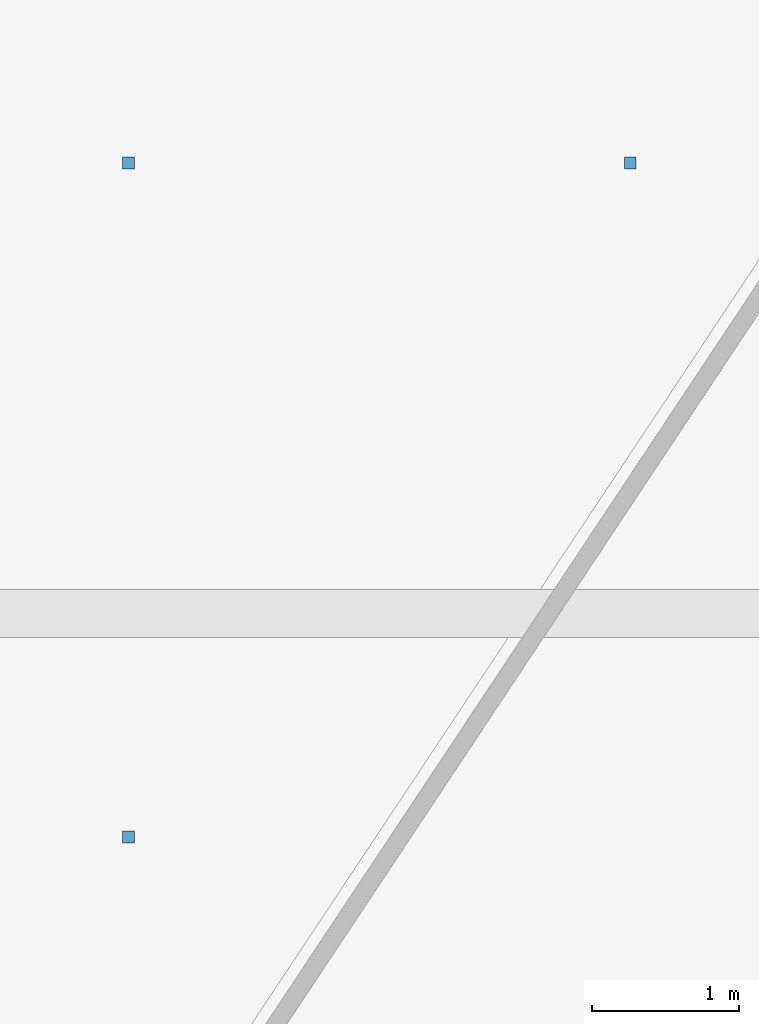
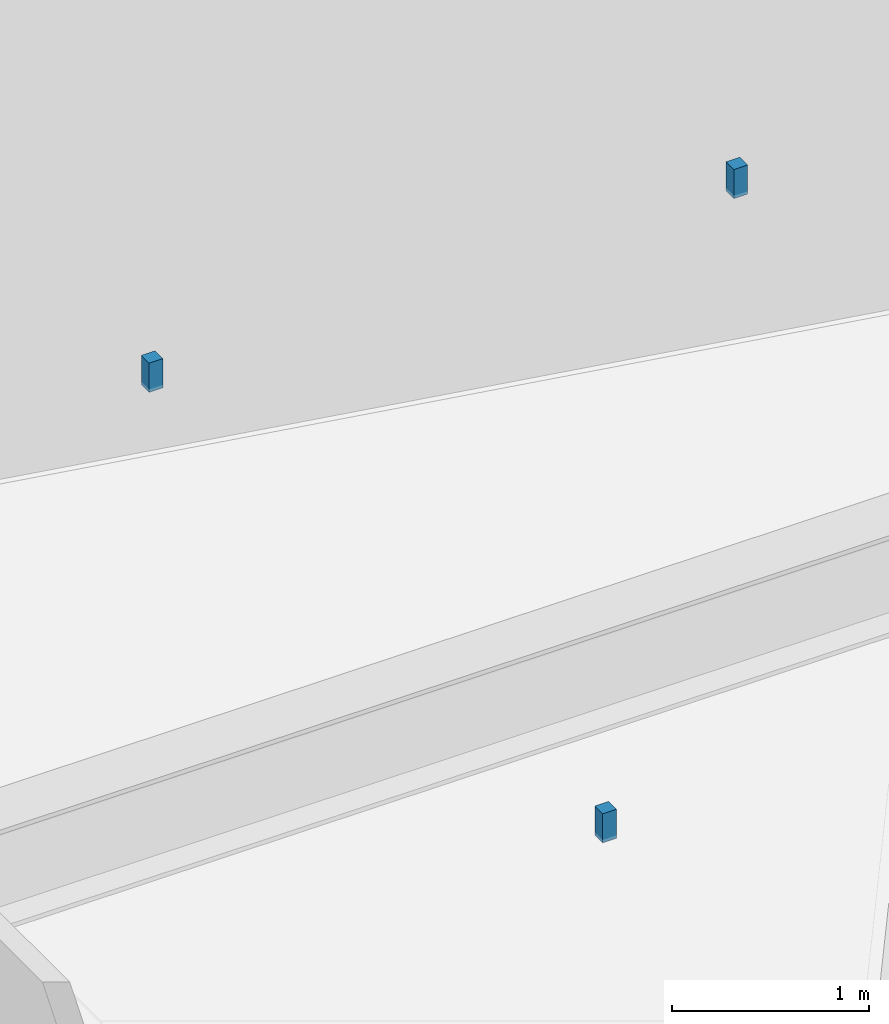
# One storey, part 8 of 14: 3 discrete accessories.
"""IFC4 building model written with IfcOpenShell, lengths in metres."""

from ifc_helpers import new_model, si_unit, direction, frame, origin, origin_2d, place, context, subcontext, project, spatial, rectangle, extrude, material, type_object, element, save


model = new_model("IFC4")

# Units and contexts
model_context = context("Model", 3, precision=1e-05, world=origin(), true_north=direction((0.0, 1.0)))
body_context = subcontext(model_context, "Body", "Model", "MODEL_VIEW")
ifc_project = project(units=[si_unit("LENGTHUNIT", "METRE"), si_unit("AREAUNIT", "SQUARE_METRE"), si_unit("VOLUMEUNIT", "CUBIC_METRE"), si_unit("PLANEANGLEUNIT", "RADIAN"), si_unit("MASSUNIT", "GRAM", prefix="KILO")], contexts=[model_context])

# Site, building, storey
site_placement = place(None, origin())
site = spatial("IfcSite", under=ifc_project, at=site_placement, CompositionType="ELEMENT")
building_placement = place(site_placement, origin())
building = spatial("IfcBuilding", under=site, at=building_placement, Name="Kolvaren Gate Tower and Convention Centre", CompositionType="ELEMENT")
storey_placement = place(building_placement, frame((0.0, 0.0, 57.300048828125)))
storey = spatial("IfcBuildingStorey", under=building, at=storey_placement, Name="L13", CompositionType="ELEMENT", Elevation=57.300048828125)

# Discrete accessories
ifc_material = material(Name="Brushed Stainless Steel Grade 316L", Category="steel")
discrete_accessory_type = type_object("IfcDiscreteAccessoryType", Name="ARCH-ACC-HANGER-80", PredefinedType="BRACKET", material=ifc_material)
for number, where, z_axis, x_axis, name in (
    (1, (48.85107421875, 25.47509765625, 3.39013671875), (0.0, 0.0, 1.0), (1.0, 0.0, 0.0), "Materials Exhibition Boutique Ceiling Suspension Hanger Clip 1"),
    (2, (48.85107421875, 30.070068359375, 3.39013671875), (0.0, 0.0, 1.0), (1.0, 0.0, 0.0), "Materials Exhibition Boutique Ceiling Suspension Hanger Clip 2"),
    (3, (52.27197265625, 30.070068359375, 3.39013671875), (0.0, 0.0, 1.0), (1.0, 0.0, 0.0), "Materials Exhibition Boutique Ceiling Suspension Hanger Clip 3"),
):
    element("IfcDiscreteAccessory", number, at=place(storey_placement, frame(where, z_axis=z_axis, x_axis=x_axis)), inside=storey, type_object=discrete_accessory_type, Name=name, PredefinedType="BRACKET", context=body_context, shape_type="SweptSolid", body=[
        extrude(rectangle(XDim=0.080078125, YDim=0.080078125, at=origin_2d()), origin(), (0.0, 0.0, 1.0), 0.179931640625),
    ])

save(model, "model.ifc")
